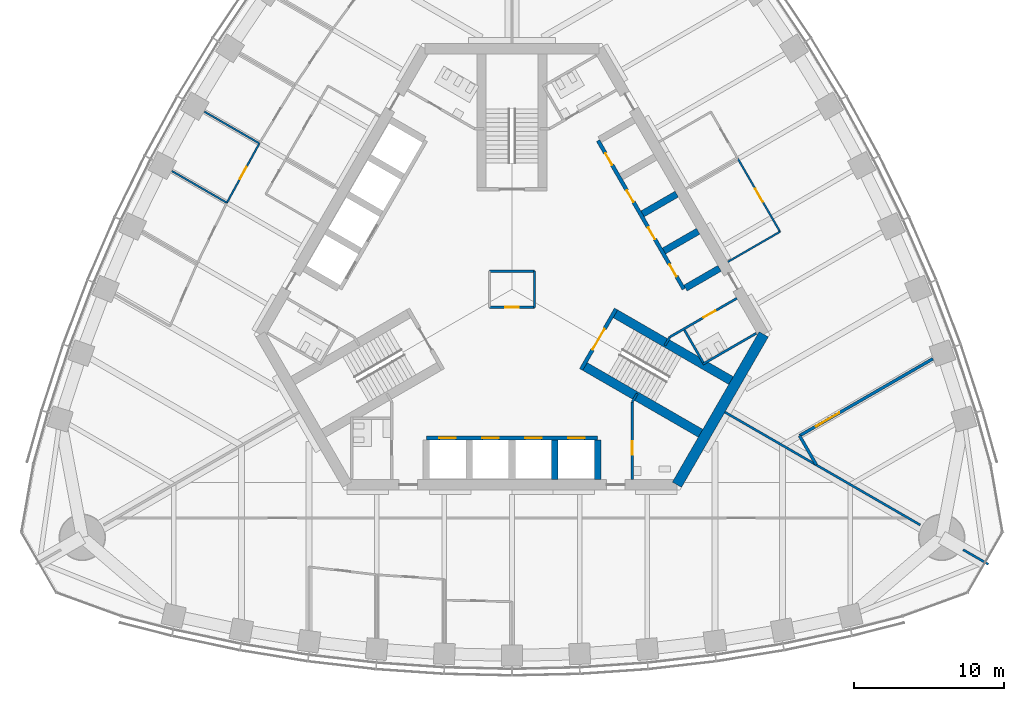
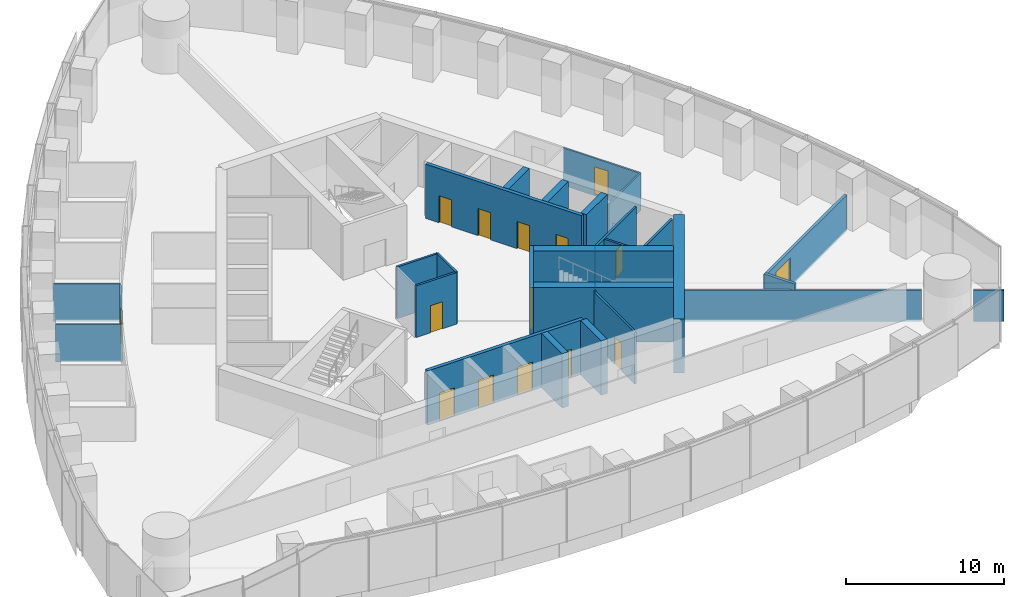
# One storey, part 12 of 19: 29 walls, 15 doors, 15 openings.
"""IFC4 building model written with IfcOpenShell, lengths in metres."""

from ifc_helpers import new_model, si_unit, direction, frame, frame_2d, origin, place, context, subcontext, project, spatial, rectangle, extrude, material, layer, layer_set, type_object, element, fill, save


model = new_model("IFC4")

# Units and contexts
model_context = context("Model", 3, precision=1e-05, world=origin(), true_north=direction((0.0, 1.0)))
body_context = subcontext(model_context, "Body", "Model", "MODEL_VIEW")
ifc_project = project(units=[si_unit("LENGTHUNIT", "METRE"), si_unit("AREAUNIT", "SQUARE_METRE"), si_unit("VOLUMEUNIT", "CUBIC_METRE"), si_unit("PLANEANGLEUNIT", "RADIAN"), si_unit("MASSUNIT", "GRAM", prefix="KILO")], contexts=[model_context])

# Site, building, storey
site_placement = place(None, origin())
site = spatial("IfcSite", under=ifc_project, at=site_placement, CompositionType="ELEMENT")
building_placement = place(site_placement, origin())
building = spatial("IfcBuilding", under=site, at=building_placement, Name="Trefoil Bronze Tower", CompositionType="ELEMENT")
storey_placement = place(building_placement, frame((0.0, 0.0, 248.5)))
storey = spatial("IfcBuildingStorey", under=building, at=storey_placement, Name="L57", CompositionType="ELEMENT", Elevation=248.5)

# Wall
ifc_material_1 = material(Name="Gypsum board on steel studs", Category="steel")
ifc_layer_1 = layer(ifc_material_1, 0.199951171875)
ifc_layer_set_1 = layer_set([ifc_layer_1], Name="Acoustic partition 200")
wall_type_1 = type_object("IfcWallType", Name="Acoustic partition 200", PredefinedType="PARTITIONING", material=ifc_layer_set_1)
wall_1_placement = place(storey_placement, frame((19.123779296875, -9.743408203125, 0.0), z_axis=(0.0, 0.0, 1.0), x_axis=(0.500047783504, -0.865997814208, 0.0)))
element("IfcWall", 1, at=wall_1_placement, inside=storey, type_object=wall_type_1, Name="Partition F2 L57", PredefinedType="PARTITIONING", context=body_context, shape_type="SweptSolid", body=[
    extrude(rectangle(XDim=2.230224609375, YDim=0.199951171875, at=frame_2d((1.115234375, 0.0))), origin(), (0.0, 0.0, 1.0), 2.89990234375),
])

# Wall, opening, door
wall_2_placement = place(storey_placement, frame((19.123779296875, -9.743408203125, 0.0), z_axis=(0.0, 0.0, 1.0), x_axis=(0.866033076574, 0.499986710104, 0.0)))
wall_2 = element("IfcWall", 2, at=wall_2_placement, inside=storey, type_object=wall_type_1, Name="Partition F2 L57", PredefinedType="PARTITIONING", context=body_context, shape_type="SweptSolid", body=[
    extrude(rectangle(XDim=10.236572265625, YDim=0.199951171875, at=frame_2d((5.1181640625, 0.0))), origin(), (0.0, 0.0, 1.0), 2.800048828125),
])
opening_1_placement = place(wall_2_placement, frame((1.25, 0.0, 0.14990234375)))
opening_1 = element("IfcOpeningElement", 3, at=opening_1_placement, cuts=wall_2, Name="Opening D10", PredefinedType="OPENING", context=body_context, shape_type="SweptSolid", body=[
    extrude(rectangle(XDim=1.800048828125, YDim=2.10009765625, at=frame_2d((0.89990234375, 1.050048828125))), frame((0.0, 0.10986328125, 0.0), z_axis=(0.0, -1.0, 0.0), x_axis=(1.0, 0.0, 0.0)), (0.0, 0.0, 1.0), 0.219970703125),
])
ifc_material_2 = material(Name="Timber door", Category="wood")
door_type_1 = type_object("IfcDoorType", Name="Double door 1800", OperationType="DOUBLE_DOOR_SINGLE_SWING", PredefinedType="DOOR", material=ifc_material_2)
door_1_placement = place(opening_1_placement, frame((1.800048828125, 0.0, 0.0), z_axis=(0.0, 0.0, 1.0), x_axis=(-1.0, 0.0, 0.0)))
door_1 = element("IfcDoor", 4, at=door_1_placement, inside=storey, type_object=door_type_1, Name="Boardroom door F2 L57", OperationType="DOUBLE_DOOR_SINGLE_SWING", OverallHeight=2.10009765625, OverallWidth=1.800048828125, PredefinedType="DOOR", context=body_context, shape_type="SweptSolid", body=[
    extrude(rectangle(XDim=1.800048828125, YDim=2.10009765625, at=frame_2d((0.89990234375, 1.050048828125))), frame((0.0, 0.02490234375, 0.0), z_axis=(0.0, -1.0, 0.0), x_axis=(1.0, 0.0, 0.0)), (0.0, 0.0, 1.0), 0.050048828125),
])
fill(opening_1, door_1)

# Wall
ifc_material_3 = material(Name="Concrete B80", Category="concrete")
ifc_layer_2 = layer(ifc_material_3, 0.699951171875)
ifc_layer_set_2 = layer_set([ifc_layer_2], Name="Core wall 700")
wall_type_2 = type_object("IfcWallType", Name="Core wall 700", PredefinedType="SHEAR", material=ifc_layer_set_2)
wall_3_placement = place(storey_placement, frame((10.9697265625, -13.0, 0.0), z_axis=(0.0, 0.0, 1.0), x_axis=(0.499995765644, 0.866027848477, 0.0)))
element("IfcWall", 5, at=wall_3_placement, inside=storey, type_object=wall_type_2, Name="Core short wall 1 L57", PredefinedType="SHEAR", context=body_context, shape_type="SweptSolid", body=[
    extrude(rectangle(XDim=11.546875, YDim=0.699951171875, at=frame_2d((5.7734375, 0.0))), origin(), (0.0, 0.0, 1.0), 4.199951171875),
])

# Wall, opening, door
ifc_material_4 = material(Name="Glazed partition", Category="glass")
ifc_layer_3 = layer(ifc_material_4, 0.1201171875)
ifc_layer_set_3 = layer_set([ifc_layer_3], Name="Glazed partition 120")
wall_type_3 = type_object("IfcWallType", Name="Glazed partition 120", PredefinedType="PARTITIONING", material=ifc_layer_set_3)
wall_4_placement = place(storey_placement, frame((17.825439453125, 3.8251953125, 0.0), z_axis=(0.0, 0.0, 1.0), x_axis=(-0.499965239061, 0.866045472092, 0.0)))
wall_4 = element("IfcWall", 6, at=wall_4_placement, inside=storey, type_object=wall_type_3, Name="Partition F2 L57", PredefinedType="PARTITIONING", context=body_context, shape_type="SweptSolid", body=[
    extrude(rectangle(XDim=5.60009765625, YDim=0.1201171875, at=frame_2d((2.800048828125, 0.0))), origin(), (0.0, 0.0, 1.0), 2.89990234375),
])
opening_2_placement = place(wall_4_placement, frame((2.300048828125, 0.0, 0.14990234375)))
opening_2 = element("IfcOpeningElement", 7, at=opening_2_placement, cuts=wall_4, Name="Opening D9", PredefinedType="OPENING", context=body_context, shape_type="SweptSolid", body=[
    extrude(rectangle(XDim=1.0, YDim=2.10009765625, at=frame_2d((0.5, 1.050048828125))), frame((0.0, 0.070068359375, 0.0), z_axis=(0.0, -1.0, 0.0), x_axis=(1.0, 0.0, 0.0)), (0.0, 0.0, 1.0), 0.14013671875),
])
ifc_material_5 = material(Name="Glazed timber door", Category="wood")
door_type_2 = type_object("IfcDoorType", Name="Meeting room door 1000", OperationType="SINGLE_SWING_LEFT", PredefinedType="DOOR", material=ifc_material_5)
door_2_placement = place(opening_2_placement, origin())
door_2 = element("IfcDoor", 8, at=door_2_placement, inside=storey, type_object=door_type_2, Name="Meeting room door F2 L57", OperationType="SINGLE_SWING_RIGHT", OverallHeight=2.10009765625, OverallWidth=1.0, PredefinedType="DOOR", context=body_context, shape_type="SweptSolid", body=[
    extrude(rectangle(XDim=1.0, YDim=2.10009765625, at=frame_2d((0.5, 1.050048828125))), frame((0.0, 0.02490234375, 0.0), z_axis=(0.0, -1.0, 0.0), x_axis=(1.0, 0.0, 0.0)), (0.0, 0.0, 1.0), 0.050048828125),
])
fill(opening_2, door_2)

# Wall
wall_5_placement = place(storey_placement, frame((14.361328125, 1.8251953125, 0.0), z_axis=(0.0, 0.0, 1.0), x_axis=(0.866026010844, 0.49999894854, 0.0)))
element("IfcWall", 9, at=wall_5_placement, inside=storey, type_object=wall_type_3, Name="Partition F2 L57", PredefinedType="PARTITIONING", context=body_context, shape_type="SweptSolid", body=[
    extrude(rectangle(XDim=4.0, YDim=0.1201171875, at=frame_2d((2.0, 0.0))), origin(), (0.0, 0.0, 1.0), 2.89990234375),
])

# Wall, opening, door
wall_6_placement = place(storey_placement, frame((-16.801513671875, 9.700439453125, 0.0), z_axis=(0.0, 0.0, 1.0), x_axis=(-0.479949984371, -0.877295852322, 0.0)))
wall_6 = element("IfcWall", 10, at=wall_6_placement, inside=storey, type_object=wall_type_3, Name="Partition F3 L57", PredefinedType="PARTITIONING", context=body_context, shape_type="SweptSolid", body=[
    extrude(rectangle(XDim=4.501220703125, YDim=0.1201171875, at=frame_2d((2.25048828125, 0.0))), origin(), (0.0, 0.0, 1.0), 2.89990234375),
])
opening_3_placement = place(wall_6_placement, frame((1.800048828125, 0.0, 0.14990234375)))
opening_3 = element("IfcOpeningElement", 11, at=opening_3_placement, cuts=wall_6, Name="Opening D8", PredefinedType="OPENING", context=body_context, shape_type="SweptSolid", body=[
    extrude(rectangle(XDim=0.89990234375, YDim=2.10009765625, at=frame_2d((0.449951171875, 1.050048828125))), frame((0.0, 0.070068359375, 0.0), z_axis=(0.0, -1.0, 0.0), x_axis=(1.0, 0.0, 0.0)), (0.0, 0.0, 1.0), 0.14013671875),
])
ifc_material_6 = material(Name="Timber door", Category="wood")
door_type_3 = type_object("IfcDoorType", Name="Office door 900", OperationType="SINGLE_SWING_LEFT", PredefinedType="DOOR", material=ifc_material_6)
door_3_placement = place(opening_3_placement, frame((0.89990234375, 0.0, 0.0), z_axis=(0.0, 0.0, 1.0), x_axis=(-1.0, 0.0, 0.0)))
door_3 = element("IfcDoor", 12, at=door_3_placement, inside=storey, type_object=door_type_3, Name="Office door F3 L57", OperationType="SINGLE_SWING_RIGHT", OverallHeight=2.10009765625, OverallWidth=0.89990234375, PredefinedType="DOOR", context=body_context, shape_type="SweptSolid", body=[
    extrude(rectangle(XDim=0.89990234375, YDim=2.10009765625, at=frame_2d((0.449951171875, 1.050048828125))), frame((0.0, 0.02490234375, 0.0), z_axis=(0.0, -1.0, 0.0), x_axis=(1.0, 0.0, 0.0)), (0.0, 0.0, 1.0), 0.050048828125),
])
fill(opening_3, door_3)

# Walls
wall_7_placement = place(storey_placement, frame((-16.801513671875, 9.700439453125, 0.0), z_axis=(0.0, 0.0, 1.0), x_axis=(-0.866034326667, 0.499984544796, 0.0)))
element("IfcWall", 13, at=wall_7_placement, inside=storey, type_object=wall_type_3, Name="Partition F3 L57", PredefinedType="PARTITIONING", context=body_context, shape_type="SweptSolid", body=[
    extrude(rectangle(XDim=4.219970703125, YDim=0.1201171875, at=frame_2d((2.10986328125, 0.0))), origin(), (0.0, 0.0, 1.0), 2.89990234375),
])
wall_8_placement = place(storey_placement, frame((-18.9619140625, 5.75146484375, 0.0), z_axis=(0.0, 0.0, 1.0), x_axis=(-0.866037167642, 0.499979623848, 0.0)))
element("IfcWall", 14, at=wall_8_placement, inside=storey, type_object=wall_type_3, Name="Partition F3 L57", PredefinedType="PARTITIONING", context=body_context, shape_type="SweptSolid", body=[
    extrude(rectangle(XDim=4.218505859375, YDim=0.1201171875, at=frame_2d((2.109375, 0.0))), origin(), (0.0, 0.0, 1.0), 2.89990234375),
])
ifc_material_7 = material(Name="Concrete B80", Category="concrete")
ifc_layer_4 = layer(ifc_material_7, 0.449951171875)
ifc_layer_set_4 = layer_set([ifc_layer_4], Name="Outrigger shaft wall 450")
wall_type_4 = type_object("IfcWallType", Name="Outrigger shaft wall 450", PredefinedType="SHEAR", material=ifc_layer_set_4)
for number, where, z_axis, x_axis, name in (
    (15, (2.85009765625, -10.02490234375, 0.0), (0.0, 0.0, 1.0), (0.0, -1.0, 0.0), "Lift shaft side wall A3 L57"),
    (16, (5.699951171875, -10.02490234375, 0.0), (0.0, 0.0, 1.0), (0.0, -1.0, 0.0), "Lift shaft side wall A4 L57"),
    (17, (11.531982421875, 0.076171875, 0.0), (0.0, 0.0, 1.0), (0.866013657776, 0.500020344131, 0.0), "Lift shaft side wall B0 L57"),
    (18, (10.10693359375, 2.54443359375, 0.0), (0.0, 0.0, 1.0), (0.866013657776, 0.500020344131, 0.0), "Lift shaft side wall B1 L57"),
    (19, (8.681884765625, 5.012451171875, 0.0), (0.0, 0.0, 1.0), (0.866036909293, 0.499980071345, 0.0), "Lift shaft side wall B2 L57"),
):
    element("IfcWall", number, at=place(storey_placement, frame(where, z_axis=z_axis, x_axis=x_axis)), inside=storey, type_object=wall_type_4, Name=name, PredefinedType="SHEAR", context=body_context, shape_type="SweptSolid", body=[
        extrude(rectangle(XDim=2.625, YDim=0.449951171875, at=frame_2d((1.3125, 0.0))), origin(), (0.0, 0.0, 1.0), 4.199951171875),
    ])

# Wall, opening, door
ifc_material_8 = material(Name="Gypsum board on steel studs", Category="steel")
ifc_layer_5 = layer(ifc_material_8, 0.14990234375)
ifc_layer_set_5 = layer_set([ifc_layer_5], Name="Partition 150")
wall_type_5 = type_object("IfcWallType", Name="Partition 150", PredefinedType="PARTITIONING", material=ifc_layer_set_5)
wall_9_placement = place(storey_placement, frame((8.0, -7.5, 0.0), z_axis=(0.0, 0.0, 1.0), x_axis=(0.0, -1.0, 0.0)))
wall_9 = element("IfcWall", 20, at=wall_9_placement, inside=storey, type_object=wall_type_5, Name="Passage wall F1+ L57", PredefinedType="PARTITIONING", context=body_context, shape_type="SweptSolid", body=[
    extrude(rectangle(XDim=5.14990234375, YDim=0.14990234375, at=frame_2d((2.574951171875, 0.0))), origin(), (0.0, 0.0, 1.0), 4.0),
])
opening_4_placement = place(wall_9_placement, frame((2.60009765625, 0.0, 0.0)))
opening_4 = element("IfcOpeningElement", 21, at=opening_4_placement, cuts=wall_9, Name="Opening D3", PredefinedType="OPENING", context=body_context, shape_type="SweptSolid", body=[
    extrude(rectangle(XDim=0.89990234375, YDim=2.10009765625, at=frame_2d((0.449951171875, 1.050048828125))), frame((0.0, 0.0849609375, 0.0), z_axis=(0.0, -1.0, 0.0), x_axis=(1.0, 0.0, 0.0)), (0.0, 0.0, 1.0), 0.169921875),
])
ifc_material_9 = material(Name="Timber door", Category="wood")
door_type_4 = type_object("IfcDoorType", Name="WC door 900", OperationType="SINGLE_SWING_LEFT", PredefinedType="DOOR", material=ifc_material_9)
door_4_placement = place(opening_4_placement, origin())
door_4 = element("IfcDoor", 22, at=door_4_placement, inside=storey, type_object=door_type_4, Name="Accessible WC door L57", OperationType="SINGLE_SWING_RIGHT", OverallHeight=2.10009765625, OverallWidth=0.89990234375, PredefinedType="DOOR", context=body_context, shape_type="SweptSolid", body=[
    extrude(rectangle(XDim=0.89990234375, YDim=2.10009765625, at=frame_2d((0.449951171875, 1.050048828125))), frame((0.0, 0.02490234375, 0.0), z_axis=(0.0, -1.0, 0.0), x_axis=(1.0, 0.0, 0.0)), (0.0, 0.0, 1.0), 0.050048828125),
])
fill(opening_4, door_4)

wall_10_placement = place(storey_placement, frame((10.4951171875, -3.17822265625, 0.0), z_axis=(0.0, 0.0, 1.0), x_axis=(0.866037967349, 0.499978238636, 0.0)))
wall_10 = element("IfcWall", 23, at=wall_10_placement, inside=storey, type_object=wall_type_5, Name="Passage wall F2- L57", PredefinedType="PARTITIONING", context=body_context, shape_type="SweptSolid", body=[
    extrude(rectangle(XDim=5.150146484375, YDim=0.14990234375, at=frame_2d((2.5751953125, 0.0))), origin(), (0.0, 0.0, 1.0), 4.0),
])
opening_5_placement = place(wall_10_placement, frame((2.60009765625, 0.0, 0.0)))
opening_5 = element("IfcOpeningElement", 24, at=opening_5_placement, cuts=wall_10, Name="Opening D3", PredefinedType="OPENING", context=body_context, shape_type="SweptSolid", body=[
    extrude(rectangle(XDim=0.89990234375, YDim=2.10009765625, at=frame_2d((0.449951171875, 1.050048828125))), frame((0.0, 0.0849609375, 0.0), z_axis=(0.0, -1.0, 0.0), x_axis=(1.0, 0.0, 0.0)), (0.0, 0.0, 1.0), 0.169921875),
])
door_5_placement = place(opening_5_placement, frame((0.89990234375, 0.0, 0.0), z_axis=(0.0, 0.0, 1.0), x_axis=(-1.0, 0.0, 0.0)))
door_5 = element("IfcDoor", 25, at=door_5_placement, inside=storey, type_object=door_type_4, Name="WC (women) door L57", OperationType="SINGLE_SWING_RIGHT", OverallHeight=2.10009765625, OverallWidth=0.89990234375, PredefinedType="DOOR", context=body_context, shape_type="SweptSolid", body=[
    extrude(rectangle(XDim=0.89990234375, YDim=2.10009765625, at=frame_2d((0.449951171875, 1.050048828125))), frame((0.0, 0.02490234375, 0.0), z_axis=(0.0, -1.0, 0.0), x_axis=(1.0, 0.0, 0.0)), (0.0, 0.0, 1.0), 0.050048828125),
])
fill(opening_5, door_5)

# Walls
for number, where, z_axis, x_axis, name in (
    (26, (8.0, -7.5, 0.0), (0.0, 0.0, 1.0), (0.499842556608, 0.866116284689, 0.0), "WC wall ST1-1 L57"),
    (27, (10.4951171875, -3.17822265625, 0.0), (0.0, 0.0, 1.0), (-0.499842556608, -0.866116284689, 0.0), "WC wall ST1+1 L57"),
):
    element("IfcWall", number, at=place(storey_placement, frame(where, z_axis=z_axis, x_axis=x_axis)), inside=storey, type_object=wall_type_5, Name=name, PredefinedType="PARTITIONING", context=body_context, shape_type="SweptSolid", body=[
        extrude(rectangle(XDim=0.645263671875, YDim=0.14990234375, at=frame_2d((0.32275390625, 0.0))), origin(), (0.0, 0.0, 1.0), 4.0),
    ])
wall_11_placement = place(storey_placement, frame((12.691162109375, -4.98193359375, 0.0), z_axis=(0.0, 0.0, 1.0), x_axis=(0.8660249478, 0.500000789788, 0.0)))
element("IfcWall", 28, at=wall_11_placement, inside=storey, type_object=wall_type_5, Name="WC partition WC (women) L57", PredefinedType="PARTITIONING", context=body_context, shape_type="SweptSolid", body=[
    extrude(rectangle(XDim=4.10009765625, YDim=0.14990234375, at=frame_2d((2.050048828125, 0.0))), origin(), (0.0, 0.0, 1.0), 4.0),
])
wall_12_placement = place(storey_placement, frame((11.463623046875, -2.70556640625, 0.0), z_axis=(0.0, 0.0, 1.0), x_axis=(0.50001992892, -0.866013897511, 0.0)))
element("IfcWall", 29, at=wall_12_placement, inside=storey, type_object=wall_type_5, Name="WC partition WC (women) L57", PredefinedType="PARTITIONING", context=body_context, shape_type="SweptSolid", body=[
    extrude(rectangle(XDim=2.51025390625, YDim=0.14990234375, at=frame_2d((1.255126953125, 0.0))), origin(), (0.0, 0.0, 1.0), 4.0),
])
ifc_material_10 = material(Name="Gypsum board on steel studs", Category="steel")
ifc_layer_6 = layer(ifc_material_10, 0.14990234375)
ifc_layer_set_6 = layer_set([ifc_layer_6], Name="Party wall 150")
wall_type_6 = type_object("IfcWallType", Name="Party wall 150", PredefinedType="PARTITIONING", material=ifc_layer_set_6)
wall_13_placement = place(storey_placement, frame((14.159423828125, -8.175048828125, 0.0), z_axis=(0.0, 0.0, 1.0), x_axis=(0.866027028085, -0.499997186618, 0.0)))
element("IfcWall", 30, at=wall_13_placement, inside=storey, type_object=wall_type_6, Name="Party wall K1 L57", PredefinedType="PARTITIONING", context=body_context, shape_type="SweptSolid", body=[
    extrude(rectangle(XDim=15.0, YDim=0.14990234375, at=frame_2d((7.5, 0.0))), origin(), (0.0, 0.0, 1.0), 2.39990234375),
])
wall_14_placement = place(storey_placement, frame((30.0078125, -17.324951171875, 0.0), z_axis=(0.0, 0.0, 1.0), x_axis=(0.866013246922, -0.500021055713, 0.0)))
element("IfcWall", 31, at=wall_14_placement, inside=storey, type_object=wall_type_6, Name="Party wall K1 L57", PredefinedType="PARTITIONING", context=body_context, shape_type="SweptSolid", body=[
    extrude(rectangle(XDim=1.9345703125, YDim=0.14990234375, at=frame_2d((0.96728515625, 0.0))), origin(), (0.0, 0.0, 1.0), 2.39990234375),
])

# Wall, opening, door
ifc_material_11 = material(Name="Gypsum board on steel studs", Category="steel")
ifc_layer_7 = layer(ifc_material_11, 0.14990234375)
ifc_layer_set_7 = layer_set([ifc_layer_7], Name="Riser wall 150")
wall_type_7 = type_object("IfcWallType", Name="Riser wall 150", PredefinedType="PARTITIONING", material=ifc_layer_set_7)
wall_15_placement = place(storey_placement, frame((-1.5, -1.199951171875, 0.0), z_axis=(0.0, 0.0, 1.0), x_axis=(1.0, 0.0, 0.0)))
wall_15 = element("IfcWall", 32, at=wall_15_placement, inside=storey, type_object=wall_type_7, Name="Riser wall L57", PredefinedType="PARTITIONING", context=body_context, shape_type="SweptSolid", body=[
    extrude(rectangle(XDim=3.0, YDim=0.14990234375, at=frame_2d((1.5, 0.0))), origin(), (0.0, 0.0, 1.0), 4.0),
])
opening_6_placement = place(wall_15_placement, frame((1.050048828125, 0.0, 0.0)))
opening_6 = element("IfcOpeningElement", 33, at=opening_6_placement, cuts=wall_15, Name="Opening D4", PredefinedType="OPENING", context=body_context, shape_type="SweptSolid", body=[
    extrude(rectangle(XDim=0.89990234375, YDim=2.10009765625, at=frame_2d((0.449951171875, 1.050048828125))), frame((0.0, 0.0849609375, 0.0), z_axis=(0.0, -1.0, 0.0), x_axis=(1.0, 0.0, 0.0)), (0.0, 0.0, 1.0), 0.169921875),
])
ifc_material_12 = material(Name="Steel door", Category="steel")
door_type_5 = type_object("IfcDoorType", Name="Riser door 900", OperationType="SINGLE_SWING_LEFT", PredefinedType="DOOR", material=ifc_material_12)
door_6_placement = place(opening_6_placement, frame((0.89990234375, 0.0, 0.0), z_axis=(0.0, 0.0, 1.0), x_axis=(-1.0, 0.0, 0.0)))
door_6 = element("IfcDoor", 34, at=door_6_placement, inside=storey, type_object=door_type_5, Name="Riser door L57", OperationType="SINGLE_SWING_LEFT", OverallHeight=2.10009765625, OverallWidth=0.89990234375, PredefinedType="DOOR", context=body_context, shape_type="SweptSolid", body=[
    extrude(rectangle(XDim=0.89990234375, YDim=2.10009765625, at=frame_2d((0.449951171875, 1.050048828125))), frame((0.0, 0.02490234375, 0.0), z_axis=(0.0, -1.0, 0.0), x_axis=(1.0, 0.0, 0.0)), (0.0, 0.0, 1.0), 0.050048828125),
])
fill(opening_6, door_6)

# Walls
wall_16_placement = place(storey_placement, frame((1.5, -1.199951171875, 0.0), z_axis=(0.0, 0.0, 1.0), x_axis=(0.0, 1.0, 0.0)))
element("IfcWall", 35, at=wall_16_placement, inside=storey, type_object=wall_type_7, Name="Riser wall L57", PredefinedType="PARTITIONING", context=body_context, shape_type="SweptSolid", body=[
    extrude(rectangle(XDim=2.39990234375, YDim=0.14990234375, at=frame_2d((1.199951171875, 0.0))), origin(), (0.0, 0.0, 1.0), 4.0),
])
wall_17_placement = place(storey_placement, frame((1.5, 1.199951171875, 0.0), z_axis=(0.0, 0.0, 1.0), x_axis=(-1.0, 0.0, 0.0)))
element("IfcWall", 36, at=wall_17_placement, inside=storey, type_object=wall_type_7, Name="Riser wall L57", PredefinedType="PARTITIONING", context=body_context, shape_type="SweptSolid", body=[
    extrude(rectangle(XDim=3.0, YDim=0.14990234375, at=frame_2d((1.5, 0.0))), origin(), (0.0, 0.0, 1.0), 4.0),
])

# Wall, openings, doors
ifc_material_13 = material(Name="Concrete B80", Category="concrete")
ifc_layer_8 = layer(ifc_material_13, 0.25)
ifc_layer_set_8 = layer_set([ifc_layer_8], Name="Shaft wall 250")
wall_type_8 = type_object("IfcWallType", Name="Shaft wall 250", PredefinedType="SHEAR", material=ifc_layer_set_8)
wall_18_placement = place(storey_placement, frame((-5.699951171875, -9.89990234375, 0.0), z_axis=(0.0, 0.0, 1.0), x_axis=(1.0, 0.0, 0.0)))
wall_18 = element("IfcWall", 37, at=wall_18_placement, inside=storey, type_object=wall_type_8, Name="Lift shaft front wall A L57", PredefinedType="SHEAR", context=body_context, shape_type="SweptSolid", body=[
    extrude(rectangle(XDim=11.39990234375, YDim=0.25, at=frame_2d((5.699951171875, 0.0))), origin(), (0.0, 0.0, 1.0), 4.199951171875),
])
opening_7_placement = place(wall_18_placement, frame((0.875, 0.0, 0.0)))
opening_7 = element("IfcOpeningElement", 38, at=opening_7_placement, cuts=wall_18, Name="Opening LD-P31", PredefinedType="OPENING", context=body_context, shape_type="SweptSolid", body=[
    extrude(rectangle(XDim=1.10009765625, YDim=2.199951171875, at=frame_2d((0.550048828125, 1.10009765625))), frame((0.0, 0.135009765625, 0.0), z_axis=(0.0, -1.0, 0.0), x_axis=(1.0, 0.0, 0.0)), (0.0, 0.0, 1.0), 0.27001953125),
])
opening_8_placement = place(wall_18_placement, frame((3.72509765625, 0.0, 0.0)))
opening_8 = element("IfcOpeningElement", 39, at=opening_8_placement, cuts=wall_18, Name="Opening LD-P32", PredefinedType="OPENING", context=body_context, shape_type="SweptSolid", body=[
    extrude(rectangle(XDim=1.10009765625, YDim=2.199951171875, at=frame_2d((0.550048828125, 1.10009765625))), frame((0.0, 0.135009765625, 0.0), z_axis=(0.0, -1.0, 0.0), x_axis=(1.0, 0.0, 0.0)), (0.0, 0.0, 1.0), 0.27001953125),
])
opening_9_placement = place(wall_18_placement, frame((6.574951171875, 0.0, 0.0)))
opening_9 = element("IfcOpeningElement", 40, at=opening_9_placement, cuts=wall_18, Name="Opening LD-P33", PredefinedType="OPENING", context=body_context, shape_type="SweptSolid", body=[
    extrude(rectangle(XDim=1.10009765625, YDim=2.199951171875, at=frame_2d((0.550048828125, 1.10009765625))), frame((0.0, 0.135009765625, 0.0), z_axis=(0.0, -1.0, 0.0), x_axis=(1.0, 0.0, 0.0)), (0.0, 0.0, 1.0), 0.27001953125),
])
opening_10_placement = place(wall_18_placement, frame((9.425048828125, 0.0, 0.0)))
opening_10 = element("IfcOpeningElement", 41, at=opening_10_placement, cuts=wall_18, Name="Opening LD-P34", PredefinedType="OPENING", context=body_context, shape_type="SweptSolid", body=[
    extrude(rectangle(XDim=1.10009765625, YDim=2.199951171875, at=frame_2d((0.550048828125, 1.10009765625))), frame((0.0, 0.135009765625, 0.0), z_axis=(0.0, -1.0, 0.0), x_axis=(1.0, 0.0, 0.0)), (0.0, 0.0, 1.0), 0.27001953125),
])
ifc_material_14 = material(Name="Steel door", Category="steel")
door_type_6 = type_object("IfcDoorType", Name="Lift landing door 1100", OperationType="DOUBLE_DOOR_SLIDING", PredefinedType="DOOR", material=ifc_material_14)
door_7_placement = place(opening_7_placement, origin())
door_7 = element("IfcDoor", 42, at=door_7_placement, inside=storey, type_object=door_type_6, Name="Lift P31 landing door L57", OperationType="DOUBLE_DOOR_SLIDING", OverallHeight=2.199951171875, OverallWidth=1.10009765625, PredefinedType="DOOR", context=body_context, shape_type="SweptSolid", body=[
    extrude(rectangle(XDim=1.10009765625, YDim=2.199951171875, at=frame_2d((0.550048828125, 1.10009765625))), frame((0.0, 0.02490234375, 0.0), z_axis=(0.0, -1.0, 0.0), x_axis=(1.0, 0.0, 0.0)), (0.0, 0.0, 1.0), 0.050048828125),
])
fill(opening_7, door_7)
door_8_placement = place(opening_8_placement, origin())
door_8 = element("IfcDoor", 43, at=door_8_placement, inside=storey, type_object=door_type_6, Name="Lift P32 landing door L57", OperationType="DOUBLE_DOOR_SLIDING", OverallHeight=2.199951171875, OverallWidth=1.10009765625, PredefinedType="DOOR", context=body_context, shape_type="SweptSolid", body=[
    extrude(rectangle(XDim=1.10009765625, YDim=2.199951171875, at=frame_2d((0.550048828125, 1.10009765625))), frame((0.0, 0.02490234375, 0.0), z_axis=(0.0, -1.0, 0.0), x_axis=(1.0, 0.0, 0.0)), (0.0, 0.0, 1.0), 0.050048828125),
])
fill(opening_8, door_8)
door_9_placement = place(opening_9_placement, origin())
door_9 = element("IfcDoor", 44, at=door_9_placement, inside=storey, type_object=door_type_6, Name="Lift P33 landing door L57", OperationType="DOUBLE_DOOR_SLIDING", OverallHeight=2.199951171875, OverallWidth=1.10009765625, PredefinedType="DOOR", context=body_context, shape_type="SweptSolid", body=[
    extrude(rectangle(XDim=1.10009765625, YDim=2.199951171875, at=frame_2d((0.550048828125, 1.10009765625))), frame((0.0, 0.02490234375, 0.0), z_axis=(0.0, -1.0, 0.0), x_axis=(1.0, 0.0, 0.0)), (0.0, 0.0, 1.0), 0.050048828125),
])
fill(opening_9, door_9)
door_10_placement = place(opening_10_placement, origin())
door_10 = element("IfcDoor", 45, at=door_10_placement, inside=storey, type_object=door_type_6, Name="Lift P34 landing door L57", OperationType="DOUBLE_DOOR_SLIDING", OverallHeight=2.199951171875, OverallWidth=1.10009765625, PredefinedType="DOOR", context=body_context, shape_type="SweptSolid", body=[
    extrude(rectangle(XDim=1.10009765625, YDim=2.199951171875, at=frame_2d((0.550048828125, 1.10009765625))), frame((0.0, 0.02490234375, 0.0), z_axis=(0.0, -1.0, 0.0), x_axis=(1.0, 0.0, 0.0)), (0.0, 0.0, 1.0), 0.050048828125),
])
fill(opening_10, door_10)

wall_19_placement = place(storey_placement, frame((11.423583984375, 0.013671875, 0.0), z_axis=(0.0, 0.0, 1.0), x_axis=(-0.500001763848, 0.866024385424, 0.0)))
wall_19 = element("IfcWall", 46, at=wall_19_placement, inside=storey, type_object=wall_type_8, Name="Lift shaft front wall B L57", PredefinedType="SHEAR", context=body_context, shape_type="SweptSolid", body=[
    extrude(rectangle(XDim=11.39990234375, YDim=0.25, at=frame_2d((5.699951171875, 0.0))), origin(), (0.0, 0.0, 1.0), 4.199951171875),
])
opening_11_placement = place(wall_19_placement, frame((0.97509765625, 0.0, 0.0)))
opening_11 = element("IfcOpeningElement", 47, at=opening_11_placement, cuts=wall_19, Name="Opening D12", PredefinedType="OPENING", context=body_context, shape_type="SweptSolid", body=[
    extrude(rectangle(XDim=0.89990234375, YDim=2.10009765625, at=frame_2d((0.449951171875, 1.050048828125))), frame((0.0, 0.135009765625, 0.0), z_axis=(0.0, -1.0, 0.0), x_axis=(1.0, 0.0, 0.0)), (0.0, 0.0, 1.0), 0.27001953125),
])
opening_12_placement = place(wall_19_placement, frame((3.824951171875, 0.0, 0.0)))
opening_12 = element("IfcOpeningElement", 48, at=opening_12_placement, cuts=wall_19, Name="Opening D12", PredefinedType="OPENING", context=body_context, shape_type="SweptSolid", body=[
    extrude(rectangle(XDim=0.89990234375, YDim=2.10009765625, at=frame_2d((0.449951171875, 1.050048828125))), frame((0.0, 0.135009765625, 0.0), z_axis=(0.0, -1.0, 0.0), x_axis=(1.0, 0.0, 0.0)), (0.0, 0.0, 1.0), 0.27001953125),
])
opening_13_placement = place(wall_19_placement, frame((6.675048828125, 0.0, 0.0)))
opening_13 = element("IfcOpeningElement", 49, at=opening_13_placement, cuts=wall_19, Name="Opening D12", PredefinedType="OPENING", context=body_context, shape_type="SweptSolid", body=[
    extrude(rectangle(XDim=0.89990234375, YDim=2.10009765625, at=frame_2d((0.449951171875, 1.050048828125))), frame((0.0, 0.135009765625, 0.0), z_axis=(0.0, -1.0, 0.0), x_axis=(1.0, 0.0, 0.0)), (0.0, 0.0, 1.0), 0.27001953125),
])
opening_14_placement = place(wall_19_placement, frame((9.52490234375, 0.0, 0.0)))
opening_14 = element("IfcOpeningElement", 50, at=opening_14_placement, cuts=wall_19, Name="Opening D12", PredefinedType="OPENING", context=body_context, shape_type="SweptSolid", body=[
    extrude(rectangle(XDim=0.89990234375, YDim=2.10009765625, at=frame_2d((0.449951171875, 1.050048828125))), frame((0.0, 0.135009765625, 0.0), z_axis=(0.0, -1.0, 0.0), x_axis=(1.0, 0.0, 0.0)), (0.0, 0.0, 1.0), 0.27001953125),
])
ifc_material_15 = material(Name="Steel door", Category="steel")
door_type_7 = type_object("IfcDoorType", Name="Shaft room door 900", OperationType="SINGLE_SWING_LEFT", PredefinedType="DOOR", material=ifc_material_15)
door_11_placement = place(opening_11_placement, frame((0.89990234375, 0.0, 0.0), z_axis=(0.0, 0.0, 1.0), x_axis=(-1.0, 0.0, 0.0)))
door_11 = element("IfcDoor", 51, at=door_11_placement, inside=storey, type_object=door_type_7, Name="Shaft room door B1 L57", OperationType="SINGLE_SWING_LEFT", OverallHeight=2.10009765625, OverallWidth=0.89990234375, PredefinedType="DOOR", context=body_context, shape_type="SweptSolid", body=[
    extrude(rectangle(XDim=0.89990234375, YDim=2.10009765625, at=frame_2d((0.449951171875, 1.050048828125))), frame((0.0, 0.02490234375, 0.0), z_axis=(0.0, -1.0, 0.0), x_axis=(1.0, 0.0, 0.0)), (0.0, 0.0, 1.0), 0.050048828125),
])
fill(opening_11, door_11)
door_12_placement = place(opening_12_placement, frame((0.89990234375, 0.0, 0.0), z_axis=(0.0, 0.0, 1.0), x_axis=(-1.0, 0.0, 0.0)))
door_12 = element("IfcDoor", 52, at=door_12_placement, inside=storey, type_object=door_type_7, Name="Shaft room door B2 L57", OperationType="SINGLE_SWING_RIGHT", OverallHeight=2.10009765625, OverallWidth=0.89990234375, PredefinedType="DOOR", context=body_context, shape_type="SweptSolid", body=[
    extrude(rectangle(XDim=0.89990234375, YDim=2.10009765625, at=frame_2d((0.449951171875, 1.050048828125))), frame((0.0, 0.02490234375, 0.0), z_axis=(0.0, -1.0, 0.0), x_axis=(1.0, 0.0, 0.0)), (0.0, 0.0, 1.0), 0.050048828125),
])
fill(opening_12, door_12)
door_13_placement = place(opening_13_placement, frame((0.89990234375, 0.0, 0.0), z_axis=(0.0, 0.0, 1.0), x_axis=(-1.0, 0.0, 0.0)))
door_13 = element("IfcDoor", 53, at=door_13_placement, inside=storey, type_object=door_type_7, Name="Shaft room door B3 L57", OperationType="SINGLE_SWING_RIGHT", OverallHeight=2.10009765625, OverallWidth=0.89990234375, PredefinedType="DOOR", context=body_context, shape_type="SweptSolid", body=[
    extrude(rectangle(XDim=0.89990234375, YDim=2.10009765625, at=frame_2d((0.449951171875, 1.050048828125))), frame((0.0, 0.02490234375, 0.0), z_axis=(0.0, -1.0, 0.0), x_axis=(1.0, 0.0, 0.0)), (0.0, 0.0, 1.0), 0.050048828125),
])
fill(opening_13, door_13)
door_14_placement = place(opening_14_placement, frame((0.89990234375, 0.0, 0.0), z_axis=(0.0, 0.0, 1.0), x_axis=(-1.0, 0.0, 0.0)))
door_14 = element("IfcDoor", 54, at=door_14_placement, inside=storey, type_object=door_type_7, Name="Shaft room door B4 L57", OperationType="SINGLE_SWING_RIGHT", OverallHeight=2.10009765625, OverallWidth=0.89990234375, PredefinedType="DOOR", context=body_context, shape_type="SweptSolid", body=[
    extrude(rectangle(XDim=0.89990234375, YDim=2.10009765625, at=frame_2d((0.449951171875, 1.050048828125))), frame((0.0, 0.02490234375, 0.0), z_axis=(0.0, -1.0, 0.0), x_axis=(1.0, 0.0, 0.0)), (0.0, 0.0, 1.0), 0.050048828125),
])
fill(opening_14, door_14)

# Wall, opening, door
wall_20_placement = place(storey_placement, frame((4.5966796875, -5.338623046875, 0.0), z_axis=(0.0, 0.0, 1.0), x_axis=(0.499984536904, 0.866034331223, 0.0)))
wall_20 = element("IfcWall", 55, at=wall_20_placement, inside=storey, type_object=wall_type_8, Name="Stair end wall ST1 L57", PredefinedType="SHEAR", context=body_context, shape_type="SweptSolid", body=[
    extrude(rectangle(XDim=4.650146484375, YDim=0.25, at=frame_2d((2.3251953125, 0.0))), origin(), (0.0, 0.0, 1.0), 4.199951171875),
])
opening_15_placement = place(wall_20_placement, frame((1.52490234375, 0.0, 0.0)))
opening_15 = element("IfcOpeningElement", 56, at=opening_15_placement, cuts=wall_20, Name="Opening D1", PredefinedType="OPENING", context=body_context, shape_type="SweptSolid", body=[
    extrude(rectangle(XDim=1.60009765625, YDim=2.10009765625, at=frame_2d((0.800048828125, 1.050048828125))), frame((0.0, 0.135009765625, 0.0), z_axis=(0.0, -1.0, 0.0), x_axis=(1.0, 0.0, 0.0)), (0.0, 0.0, 1.0), 0.27001953125),
])
ifc_material_16 = material(Name="Steel door", Category="steel")
door_type_8 = type_object("IfcDoorType", Name="Stair door 1600", OperationType="DOUBLE_DOOR_SINGLE_SWING", PredefinedType="DOOR", material=ifc_material_16)
door_15_placement = place(opening_15_placement, frame((1.60009765625, 0.0, 0.0), z_axis=(0.0, 0.0, 1.0), x_axis=(-1.0, 0.0, 0.0)))
door_15 = element("IfcDoor", 57, at=door_15_placement, inside=storey, type_object=door_type_8, Name="Stair door ST1 L57", OperationType="DOUBLE_DOOR_SINGLE_SWING", OverallHeight=2.10009765625, OverallWidth=1.60009765625, PredefinedType="DOOR", context=body_context, shape_type="SweptSolid", body=[
    extrude(rectangle(XDim=1.60009765625, YDim=2.10009765625, at=frame_2d((0.800048828125, 1.050048828125))), frame((0.0, 0.02490234375, 0.0), z_axis=(0.0, -1.0, 0.0), x_axis=(1.0, 0.0, 0.0)), (0.0, 0.0, 1.0), 0.050048828125),
])
fill(opening_15, door_15)

# Walls
ifc_material_17 = material(Name="Concrete B80", Category="concrete")
ifc_layer_9 = layer(ifc_material_17, 0.60009765625)
ifc_layer_set_9 = layer_set([ifc_layer_9], Name="Stair wall 600")
wall_type_9 = type_object("IfcWallType", Name="Stair wall 600", PredefinedType="SHEAR", material=ifc_layer_set_9)
for number, where, z_axis, x_axis, name in (
    (58, (4.638427734375, -5.01611328125, 0.0), (0.0, 0.0, 1.0), (0.866021621257, -0.500006551472, 0.0), "Stair wall ST1 L57"),
    (59, (6.663330078125, -1.5087890625, 0.0), (0.0, 0.0, 1.0), (0.866028310072, -0.499994966129, 0.0), "Stair wall ST1 L57"),
):
    element("IfcWall", number, at=place(storey_placement, frame(where, z_axis=z_axis, x_axis=x_axis)), inside=storey, type_object=wall_type_9, Name=name, PredefinedType="SHEAR", context=body_context, shape_type="SweptSolid", body=[
        extrude(rectangle(XDim=9.125, YDim=0.60009765625, at=frame_2d((4.5625, 0.0))), origin(), (0.0, 0.0, 1.0), 4.199951171875),
    ])

save(model, "model.ifc")
